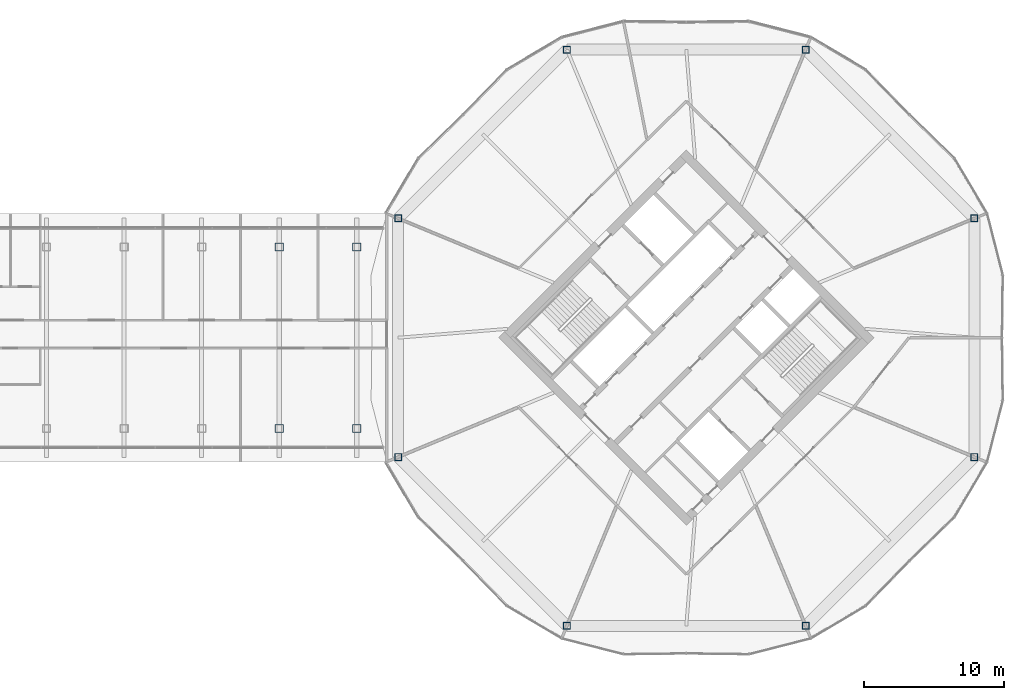
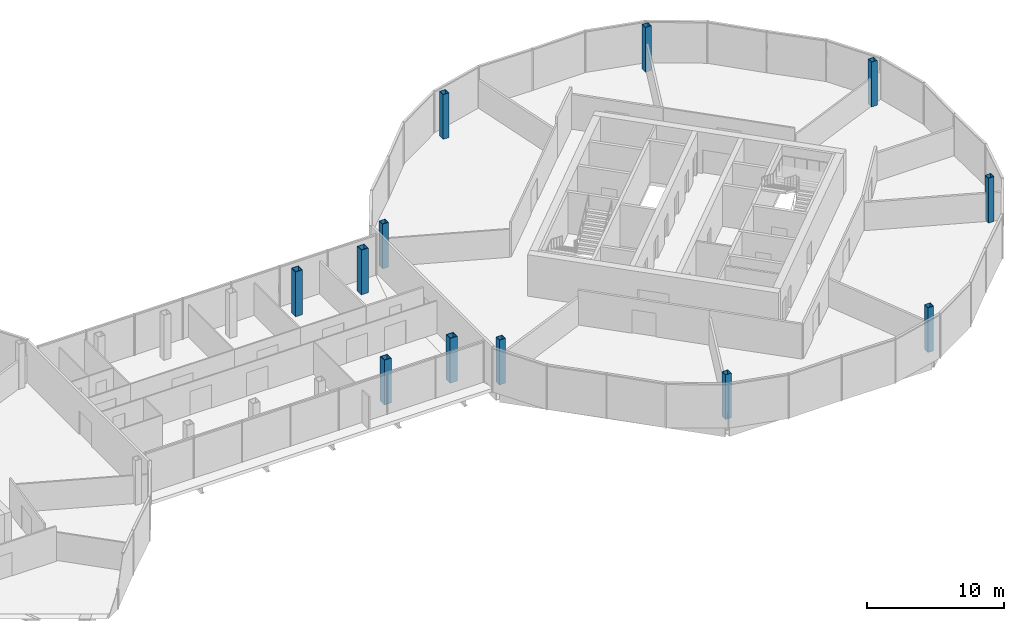
# One storey, part 2 of 26: 12 columns.
"""IFC4 building model written with IfcOpenShell, lengths in metres."""

from ifc_helpers import new_model, si_unit, direction, frame, origin, origin_2d, place, context, subcontext, project, spatial, hollow_rectangle, extrude, material, material_profile, profile_set, type_object, element, save


model = new_model("IFC4")

# Units and contexts
model_context = context("Model", 3, precision=1e-05, world=origin(), true_north=direction((0.0, 1.0)))
body_context = subcontext(model_context, "Body", "Model", "MODEL_VIEW")
ifc_project = project(units=[si_unit("LENGTHUNIT", "METRE"), si_unit("AREAUNIT", "SQUARE_METRE"), si_unit("VOLUMEUNIT", "CUBIC_METRE"), si_unit("PLANEANGLEUNIT", "RADIAN"), si_unit("MASSUNIT", "GRAM", prefix="KILO")], contexts=[model_context])

# Site, building, storey
site_placement = place(None, origin())
site = spatial("IfcSite", under=ifc_project, at=site_placement, CompositionType="ELEMENT")
building_placement = place(site_placement, origin())
building = spatial("IfcBuilding", under=site, at=building_placement, Name="Ogive Gate Towers", CompositionType="ELEMENT")
storey_placement = place(building_placement, frame((0.0, 0.0, 148.800048828125)))
storey = spatial("IfcBuildingStorey", under=building, at=storey_placement, Name="L35", CompositionType="ELEMENT", Elevation=148.800048828125)

# Columns
ifc_material = material(Name="Steel SM460", Category="steel")
ifc_material_profile_1 = material_profile(ifc_material, hollow_rectangle(XDim=0.60009765625, YDim=0.60009765625, WallThickness=0.0400390625, at=origin_2d()), Name="BX 600x600x40")
ifc_profile_set_1 = profile_set([ifc_material_profile_1], Name="Steel SM460")
column_type_1 = type_object("IfcColumnType", Name="Block column BX 600x600x40", PredefinedType="COLUMN", material=ifc_profile_set_1)
for number, where, z_axis, x_axis, name in (
    (1, (6.8388671875, -6.5, 0.0), (0.0, 0.0, 1.0), (1.0, 0.0, 0.0), "BR/L35/SCL007"),
    (2, (6.8388671875, 6.5, 0.0), (0.0, 0.0, 1.0), (1.0, 0.0, 0.0), "BR/L35/SCL008"),
    (3, (12.3955078125, -6.5, 0.0), (0.0, 0.0, 1.0), (1.0, 0.0, 0.0), "BR/L35/SCL009"),
    (4, (12.3955078125, 6.5, 0.0), (0.0, 0.0, 1.0), (1.0, 0.0, 0.0), "BR/L35/SCL010"),
):
    element("IfcColumn", number, at=place(storey_placement, frame(where, z_axis=z_axis, x_axis=x_axis)), inside=storey, type_object=column_type_1, Name=name, PredefinedType="COLUMN", context=body_context, shape_type="SweptSolid", body=[
        extrude(hollow_rectangle(XDim=0.60009765625, YDim=0.60009765625, WallThickness=0.0400390625, at=origin_2d()), origin(), (0.0, 0.0, 1.0), 4.0),
    ])
ifc_material_profile_2 = material_profile(ifc_material, hollow_rectangle(XDim=0.5, YDim=0.5, WallThickness=0.030029296875, at=origin_2d()), Name="BX 500x500x30")
ifc_profile_set_2 = profile_set([ifc_material_profile_2], Name="Steel SM460")
column_type_2 = type_object("IfcColumnType", Name="Perimeter post BX 500x500x30", PredefinedType="COLUMN", material=ifc_profile_set_2)
for number, where, z_axis, x_axis, name in (
    (5, (56.639404296875, 8.549072265625, 0.0), (0.0, 0.0, 1.0), (1.0, 0.0, 0.0), "T2/L35/SCL001"),
    (6, (44.549072265625, 20.639404296875, 0.0), (0.0, 0.0, 1.0), (1.0, 0.0, 0.0), "T2/L35/SCL002"),
    (7, (27.450927734375, 20.639404296875, 0.0), (0.0, 0.0, 1.0), (1.0, 0.0, 0.0), "T2/L35/SCL003"),
    (8, (15.360595703125, 8.549072265625, 0.0), (0.0, 0.0, 1.0), (1.0, 0.0, 0.0), "T2/L35/SCL004"),
    (9, (15.360595703125, -8.549072265625, 0.0), (0.0, 0.0, 1.0), (1.0, 0.0, 0.0), "T2/L35/SCL005"),
    (10, (27.450927734375, -20.639404296875, 0.0), (0.0, 0.0, 1.0), (1.0, 0.0, 0.0), "T2/L35/SCL006"),
    (11, (44.549072265625, -20.639404296875, 0.0), (0.0, 0.0, 1.0), (1.0, 0.0, 0.0), "T2/L35/SCL007"),
    (12, (56.639404296875, -8.549072265625, 0.0), (0.0, 0.0, 1.0), (1.0, 0.0, 0.0), "T2/L35/SCL008"),
):
    element("IfcColumn", number, at=place(storey_placement, frame(where, z_axis=z_axis, x_axis=x_axis)), inside=storey, type_object=column_type_2, Name=name, PredefinedType="COLUMN", context=body_context, shape_type="SweptSolid", body=[
        extrude(hollow_rectangle(XDim=0.5, YDim=0.5, WallThickness=0.030029296875, at=origin_2d()), origin(), (0.0, 0.0, 1.0), 4.0),
    ])

save(model, "model.ifc")
